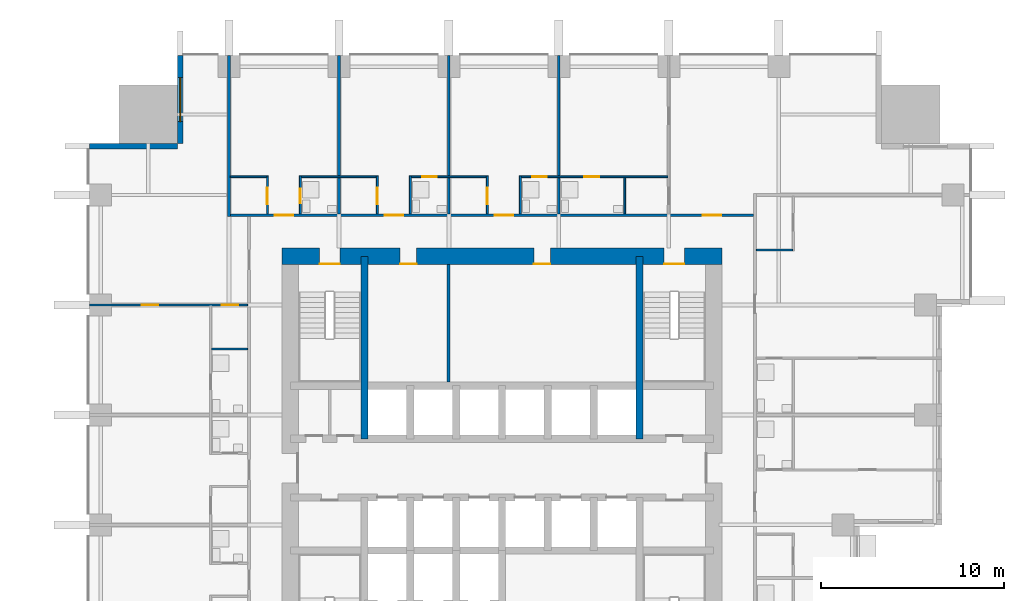
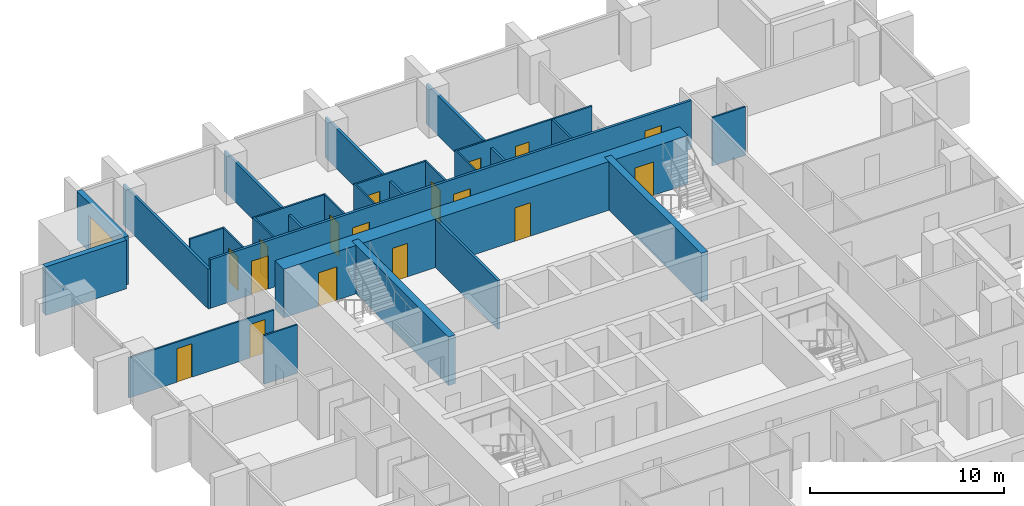
# One storey, part 7 of 10: 25 walls, 17 doors, 1 window, 18 openings.
"""IFC4 building model written with IfcOpenShell, lengths in metres."""

from ifc_helpers import new_model, si_unit, direction, frame, frame_2d, origin, place, context, subcontext, project, spatial, rectangle, extrude, material, layer, layer_set, type_object, element, fill, save


model = new_model("IFC4")

# Units and contexts
model_context = context("Model", 3, precision=1e-05, world=origin(), true_north=direction((0.0, 1.0)))
body_context = subcontext(model_context, "Body", "Model", "MODEL_VIEW")
ifc_project = project(units=[si_unit("LENGTHUNIT", "METRE"), si_unit("AREAUNIT", "SQUARE_METRE"), si_unit("VOLUMEUNIT", "CUBIC_METRE"), si_unit("PLANEANGLEUNIT", "RADIAN"), si_unit("MASSUNIT", "GRAM", prefix="KILO")], contexts=[model_context])

# Site, building, storey
site_placement = place(None, origin())
site = spatial("IfcSite", under=ifc_project, at=site_placement, CompositionType="ELEMENT")
building_placement = place(site_placement, origin())
building = spatial("IfcBuilding", under=site, at=building_placement, Name="Amberfall Residences", CompositionType="ELEMENT")
storey_placement = place(building_placement, frame((0.0, 0.0, 26.800048828125)))
storey = spatial("IfcBuildingStorey", under=building, at=storey_placement, Name="L06", CompositionType="ELEMENT", Elevation=26.800048828125)

# Wall, opening, window
ifc_material_1 = material(Name="Pale stone cladding on insulated backing", Category="masonry")
ifc_layer_1 = layer(ifc_material_1, 0.300048828125)
ifc_layer_set_1 = layer_set([ifc_layer_1], Name="Bronze clad wall 300")
wall_type_1 = type_object("IfcWallType", Name="Bronze clad wall 300", PredefinedType="SOLIDWALL", material=ifc_layer_set_1)
wall_1_placement = place(storey_placement, frame((56.949951171875, 68.0, 0.0), z_axis=(0.0, 0.0, 1.0), x_axis=(0.0, -1.0, 0.0)))
wall_1 = element("IfcWall", 1, at=wall_1_placement, inside=storey, type_object=wall_type_1, Name="External wall L06 NW", PredefinedType="SOLIDWALL", context=body_context, shape_type="SweptSolid", body=[
    extrude(rectangle(XDim=4.800048828125, YDim=0.300048828125, at=frame_2d((2.39990234375, 0.0))), origin(), (0.0, 0.0, 1.0), 3.050048828125),
])
opening_1_placement = place(wall_1_placement, frame((1.199951171875, 0.0, 0.14990234375)))
opening_1 = element("IfcOpeningElement", 2, at=opening_1_placement, cuts=wall_1, Name="Opening WN5", PredefinedType="OPENING", context=body_context, shape_type="SweptSolid", body=[
    extrude(rectangle(XDim=2.39990234375, YDim=2.10009765625, at=frame_2d((1.199951171875, 1.050048828125))), frame((0.0, 0.159912109375, 0.0), z_axis=(0.0, -1.0, 0.0), x_axis=(1.0, 0.0, 0.0)), (0.0, 0.0, 1.0), 0.320068359375),
])
ifc_material_2 = material(Name="Bronze aluminium framed glazing", Category="aluminium")
window_type = type_object("IfcWindowType", Name="Glazed opening 2400 x 2100 bronze", PartitioningType="DOUBLE_PANEL_VERTICAL", PredefinedType="WINDOW", material=ifc_material_2)
window_placement = place(opening_1_placement, origin())
window = element("IfcWindow", 3, at=window_placement, inside=storey, type_object=window_type, Name="Window L06 NW", OverallHeight=2.10009765625, OverallWidth=2.39990234375, PartitioningType="DOUBLE_PANEL_VERTICAL", PredefinedType="WINDOW", context=body_context, shape_type="SweptSolid", body=[
    extrude(rectangle(XDim=2.39990234375, YDim=2.10009765625, at=frame_2d((1.199951171875, 1.050048828125))), frame((0.0, 0.030029296875, 0.0), z_axis=(0.0, -1.0, 0.0), x_axis=(1.0, 0.0, 0.0)), (0.0, 0.0, 1.0), 0.06005859375),
])
fill(opening_1, window)

# Walls
wall_2_placement = place(storey_placement, frame((56.800048828125, 63.050048828125, 0.0), z_axis=(0.0, 0.0, 1.0), x_axis=(-1.0, 0.0, 0.0)))
element("IfcWall", 4, at=wall_2_placement, inside=storey, type_object=wall_type_1, Name="External wall L06 NW", PredefinedType="SOLIDWALL", context=body_context, shape_type="SweptSolid", body=[
    extrude(rectangle(XDim=4.800048828125, YDim=0.300048828125, at=frame_2d((2.39990234375, 0.0))), origin(), (0.0, 0.0, 1.0), 3.050048828125),
])
ifc_material_3 = material(Name="Concrete C80", Category="concrete")
ifc_layer_2 = layer(ifc_material_3, 0.39990234375)
ifc_layer_set_2 = layer_set([ifc_layer_2], Name="Core wall 400 C80")
wall_type_2 = type_object("IfcWallType", Name="Core wall 400 C80", PredefinedType="SHEAR", material=ifc_layer_set_2)
for number, where, z_axis, x_axis, name in (
    (5, (67.0, 47.10009765625, 0.0), (0.0, 0.0, 1.0), (0.0, 1.0, 0.0), "Core wall RW2 L06 V45N"),
    (6, (82.0, 47.10009765625, 0.0), (0.0, 0.0, 1.0), (0.0, 1.0, 0.0), "Core wall RW2 L06 V195N"),
):
    element("IfcWall", number, at=place(storey_placement, frame(where, z_axis=z_axis, x_axis=x_axis)), inside=storey, type_object=wall_type_2, Name=name, PredefinedType="SHEAR", context=body_context, shape_type="SweptSolid", body=[
        extrude(rectangle(XDim=9.949951171875, YDim=0.39990234375, at=frame_2d((4.97509765625, 0.0))), origin(), (0.0, 0.0, 1.0), 3.050048828125),
    ])

# Wall, openings, doors
ifc_layer_3 = layer(ifc_material_3, 0.89990234375)
ifc_layer_set_3 = layer_set([ifc_layer_3], Name="Core wall 900 C80")
wall_type_3 = type_object("IfcWallType", Name="Core wall 900 C80", PredefinedType="SHEAR", material=ifc_layer_set_3)
wall_3_placement = place(storey_placement, frame((62.5, 57.050048828125, 0.0), z_axis=(0.0, 0.0, 1.0), x_axis=(1.0, 0.0, 0.0)))
wall_3 = element("IfcWall", 7, at=wall_3_placement, inside=storey, type_object=wall_type_3, Name="Core wall RW1 L06 ON", PredefinedType="SHEAR", context=body_context, shape_type="SweptSolid", body=[
    extrude(rectangle(XDim=24.0, YDim=0.89990234375, at=frame_2d((12.0, 0.0))), origin(), (0.0, 0.0, 1.0), 3.050048828125),
])
opening_2_placement = place(wall_3_placement, frame((20.85009765625, 0.0, 0.0)))
opening_2 = element("IfcOpeningElement", 8, at=opening_2_placement, cuts=wall_3, Name="Opening SD1", PredefinedType="OPENING", context=body_context, shape_type="SweptSolid", body=[
    extrude(rectangle(XDim=1.10009765625, YDim=2.10009765625, at=frame_2d((0.550048828125, 1.050048828125))), frame((0.0, 0.4599609375, 0.0), z_axis=(0.0, -1.0, 0.0), x_axis=(1.0, 0.0, 0.0)), (0.0, 0.0, 1.0), 0.919921875),
])
opening_3_placement = place(wall_3_placement, frame((2.050048828125, 0.0, 0.0)))
opening_3 = element("IfcOpeningElement", 9, at=opening_3_placement, cuts=wall_3, Name="Opening SD1", PredefinedType="OPENING", context=body_context, shape_type="SweptSolid", body=[
    extrude(rectangle(XDim=1.10009765625, YDim=2.10009765625, at=frame_2d((0.550048828125, 1.050048828125))), frame((0.0, 0.4599609375, 0.0), z_axis=(0.0, -1.0, 0.0), x_axis=(1.0, 0.0, 0.0)), (0.0, 0.0, 1.0), 0.919921875),
])
opening_4_placement = place(wall_3_placement, frame((6.43994140625, 0.0, 0.0)))
opening_4 = element("IfcOpeningElement", 10, at=opening_4_placement, cuts=wall_3, Name="Opening RD1", PredefinedType="OPENING", context=body_context, shape_type="SweptSolid", body=[
    extrude(rectangle(XDim=0.89990234375, YDim=2.10009765625, at=frame_2d((0.449951171875, 1.050048828125))), frame((0.0, 0.4599609375, 0.0), z_axis=(0.0, -1.0, 0.0), x_axis=(1.0, 0.0, 0.0)), (0.0, 0.0, 1.0), 0.919921875),
])
opening_5_placement = place(wall_3_placement, frame((13.739990234375, 0.0, 0.0)))
opening_5 = element("IfcOpeningElement", 11, at=opening_5_placement, cuts=wall_3, Name="Opening RD1", PredefinedType="OPENING", context=body_context, shape_type="SweptSolid", body=[
    extrude(rectangle(XDim=0.89990234375, YDim=2.10009765625, at=frame_2d((0.449951171875, 1.050048828125))), frame((0.0, 0.4599609375, 0.0), z_axis=(0.0, -1.0, 0.0), x_axis=(1.0, 0.0, 0.0)), (0.0, 0.0, 1.0), 0.919921875),
])
ifc_material_4 = material(Name="Steel fire door set", Category="steel")
door_type_1 = type_object("IfcDoorType", Name="Service room door 900 x 2100", OperationType="SINGLE_SWING_LEFT", PredefinedType="DOOR", material=ifc_material_4)
door_1_placement = place(opening_4_placement, origin())
door_1 = element("IfcDoor", 12, at=door_1_placement, inside=storey, type_object=door_type_1, Name="RD1 L06", OperationType="SINGLE_SWING_RIGHT", OverallHeight=2.10009765625, OverallWidth=0.89990234375, PredefinedType="DOOR", context=body_context, shape_type="SweptSolid", body=[
    extrude(rectangle(XDim=0.89990234375, YDim=2.10009765625, at=frame_2d((0.449951171875, 1.050048828125))), frame((0.0, -0.3876953125, 0.0), z_axis=(0.0, -1.0, 0.0), x_axis=(1.0, 0.0, 0.0)), (0.0, 0.0, 1.0), 0.050048828125),
])
fill(opening_4, door_1)
door_2_placement = place(opening_5_placement, origin())
door_2 = element("IfcDoor", 13, at=door_2_placement, inside=storey, type_object=door_type_1, Name="RD1 L06", OperationType="SINGLE_SWING_RIGHT", OverallHeight=2.10009765625, OverallWidth=0.89990234375, PredefinedType="DOOR", context=body_context, shape_type="SweptSolid", body=[
    extrude(rectangle(XDim=0.89990234375, YDim=2.10009765625, at=frame_2d((0.449951171875, 1.050048828125))), frame((0.0, -0.3876953125, 0.0), z_axis=(0.0, -1.0, 0.0), x_axis=(1.0, 0.0, 0.0)), (0.0, 0.0, 1.0), 0.050048828125),
])
fill(opening_5, door_2)
door_type_2 = type_object("IfcDoorType", Name="Stair door 1100 x 2100", OperationType="SINGLE_SWING_LEFT", PredefinedType="DOOR", material=ifc_material_4)
door_3_placement = place(opening_2_placement, origin())
door_3 = element("IfcDoor", 14, at=door_3_placement, inside=storey, type_object=door_type_2, Name="SD1 L06", OperationType="SINGLE_SWING_RIGHT", OverallHeight=2.10009765625, OverallWidth=1.10009765625, PredefinedType="DOOR", context=body_context, shape_type="SweptSolid", body=[
    extrude(rectangle(XDim=1.10009765625, YDim=2.10009765625, at=frame_2d((0.550048828125, 1.050048828125))), frame((0.0, -0.3876953125, 0.0), z_axis=(0.0, -1.0, 0.0), x_axis=(1.0, 0.0, 0.0)), (0.0, 0.0, 1.0), 0.050048828125),
])
fill(opening_2, door_3)
door_4_placement = place(opening_3_placement, origin())
door_4 = element("IfcDoor", 15, at=door_4_placement, inside=storey, type_object=door_type_2, Name="SD1 L06", OperationType="SINGLE_SWING_LEFT", OverallHeight=2.10009765625, OverallWidth=1.10009765625, PredefinedType="DOOR", context=body_context, shape_type="SweptSolid", body=[
    extrude(rectangle(XDim=1.10009765625, YDim=2.10009765625, at=frame_2d((0.550048828125, 1.050048828125))), frame((0.0, -0.3876953125, 0.0), z_axis=(0.0, -1.0, 0.0), x_axis=(1.0, 0.0, 0.0)), (0.0, 0.0, 1.0), 0.050048828125),
])
fill(opening_3, door_4)

# Wall, opening, door
ifc_material_5 = material(Name="Gypsum board on metal stud")
ifc_layer_4 = layer(ifc_material_5, 0.10009765625)
ifc_layer_set_4 = layer_set([ifc_layer_4], Name="Flat partition 100")
wall_type_4 = type_object("IfcWallType", Name="Flat partition 100", PredefinedType="PARTITIONING", material=ifc_layer_set_4)
wall_4_placement = place(storey_placement, frame((61.699951171875, 59.375, 0.0), z_axis=(0.0, 0.0, 1.0), x_axis=(0.0, 1.0, 0.0)))
wall_4 = element("IfcWall", 16, at=wall_4_placement, inside=storey, type_object=wall_type_4, Name="Partition 005", PredefinedType="PARTITIONING", context=body_context, shape_type="SweptSolid", body=[
    extrude(rectangle(XDim=2.074951171875, YDim=0.10009765625, at=frame_2d((1.03759765625, 0.0))), origin(), (0.0, 0.0, 1.0), 3.050048828125),
])
opening_6_placement = place(wall_4_placement, frame((0.52490234375, 0.0, 0.0)))
opening_6 = element("IfcOpeningElement", 17, at=opening_6_placement, cuts=wall_4, Name="Opening D41", PredefinedType="OPENING", context=body_context, shape_type="SweptSolid", body=[
    extrude(rectangle(XDim=0.89990234375, YDim=2.10009765625, at=frame_2d((0.449951171875, 1.050048828125))), frame((0.0, 0.06005859375, 0.0), z_axis=(0.0, -1.0, 0.0), x_axis=(1.0, 0.0, 0.0)), (0.0, 0.0, 1.0), 0.1201171875),
])
ifc_material_6 = material(Name="Timber", Category="wood")
door_type_3 = type_object("IfcDoorType", Name="Internal door 900 x 2100", OperationType="SINGLE_SWING_LEFT", PredefinedType="DOOR", material=ifc_material_6)
door_5_placement = place(opening_6_placement, origin())
door_5 = element("IfcDoor", 18, at=door_5_placement, inside=storey, type_object=door_type_3, Name="Door 0607 kitchen", OperationType="SINGLE_SWING_LEFT", OverallHeight=2.10009765625, OverallWidth=0.89990234375, PredefinedType="DOOR", context=body_context, shape_type="SweptSolid", body=[
    extrude(rectangle(XDim=0.89990234375, YDim=2.10009765625, at=frame_2d((0.449951171875, 1.050048828125))), frame((0.0, 0.02490234375, 0.0), z_axis=(0.0, -1.0, 0.0), x_axis=(1.0, 0.0, 0.0)), (0.0, 0.0, 1.0), 0.050048828125),
])
fill(opening_6, door_5)

wall_5_placement = place(storey_placement, frame((63.5, 61.449951171875, 0.0), z_axis=(0.0, 0.0, 1.0), x_axis=(0.0, -1.0, 0.0)))
wall_5 = element("IfcWall", 19, at=wall_5_placement, inside=storey, type_object=wall_type_4, Name="Partition 006", PredefinedType="PARTITIONING", context=body_context, shape_type="SweptSolid", body=[
    extrude(rectangle(XDim=2.074951171875, YDim=0.10009765625, at=frame_2d((1.03759765625, 0.0))), origin(), (0.0, 0.0, 1.0), 3.050048828125),
])
opening_7_placement = place(wall_5_placement, frame((0.699951171875, 0.0, 0.0)))
opening_7 = element("IfcOpeningElement", 20, at=opening_7_placement, cuts=wall_5, Name="Opening D42", PredefinedType="OPENING", context=body_context, shape_type="SweptSolid", body=[
    extrude(rectangle(XDim=0.800048828125, YDim=2.10009765625, at=frame_2d((0.39990234375, 1.050048828125))), frame((0.0, 0.06005859375, 0.0), z_axis=(0.0, -1.0, 0.0), x_axis=(1.0, 0.0, 0.0)), (0.0, 0.0, 1.0), 0.1201171875),
])
door_type_4 = type_object("IfcDoorType", Name="Bathroom door 800 x 2100", OperationType="SINGLE_SWING_LEFT", PredefinedType="DOOR", material=ifc_material_6)
door_6_placement = place(opening_7_placement, origin())
door_6 = element("IfcDoor", 21, at=door_6_placement, inside=storey, type_object=door_type_4, Name="Door 0607 bath1", OperationType="SINGLE_SWING_LEFT", OverallHeight=2.10009765625, OverallWidth=0.800048828125, PredefinedType="DOOR", context=body_context, shape_type="SweptSolid", body=[
    extrude(rectangle(XDim=0.800048828125, YDim=2.10009765625, at=frame_2d((0.39990234375, 1.050048828125))), frame((0.0, 0.02490234375, 0.0), z_axis=(0.0, -1.0, 0.0), x_axis=(1.0, 0.0, 0.0)), (0.0, 0.0, 1.0), 0.050048828125),
])
fill(opening_7, door_6)

wall_6_placement = place(storey_placement, frame((67.699951171875, 59.375, 0.0), z_axis=(0.0, 0.0, 1.0), x_axis=(0.0, 1.0, 0.0)))
wall_6 = element("IfcWall", 22, at=wall_6_placement, inside=storey, type_object=wall_type_4, Name="Partition 007", PredefinedType="PARTITIONING", context=body_context, shape_type="SweptSolid", body=[
    extrude(rectangle(XDim=2.074951171875, YDim=0.10009765625, at=frame_2d((1.03759765625, 0.0))), origin(), (0.0, 0.0, 1.0), 3.050048828125),
])
opening_8_placement = place(wall_6_placement, frame((0.52490234375, 0.0, 0.0)))
opening_8 = element("IfcOpeningElement", 23, at=opening_8_placement, cuts=wall_6, Name="Opening D41", PredefinedType="OPENING", context=body_context, shape_type="SweptSolid", body=[
    extrude(rectangle(XDim=0.89990234375, YDim=2.10009765625, at=frame_2d((0.449951171875, 1.050048828125))), frame((0.0, 0.06005859375, 0.0), z_axis=(0.0, -1.0, 0.0), x_axis=(1.0, 0.0, 0.0)), (0.0, 0.0, 1.0), 0.1201171875),
])
door_7_placement = place(opening_8_placement, origin())
door_7 = element("IfcDoor", 24, at=door_7_placement, inside=storey, type_object=door_type_3, Name="Door 0608 kitchen", OperationType="SINGLE_SWING_LEFT", OverallHeight=2.10009765625, OverallWidth=0.89990234375, PredefinedType="DOOR", context=body_context, shape_type="SweptSolid", body=[
    extrude(rectangle(XDim=0.89990234375, YDim=2.10009765625, at=frame_2d((0.449951171875, 1.050048828125))), frame((0.0, 0.02490234375, 0.0), z_axis=(0.0, -1.0, 0.0), x_axis=(1.0, 0.0, 0.0)), (0.0, 0.0, 1.0), 0.050048828125),
])
fill(opening_8, door_7)

# Wall
wall_7_placement = place(storey_placement, frame((69.5, 59.375, 0.0), z_axis=(0.0, 0.0, 1.0), x_axis=(0.0, 1.0, 0.0)))
element("IfcWall", 25, at=wall_7_placement, inside=storey, type_object=wall_type_4, Name="Partition 009", PredefinedType="PARTITIONING", context=body_context, shape_type="SweptSolid", body=[
    extrude(rectangle(XDim=2.074951171875, YDim=0.10009765625, at=frame_2d((1.03759765625, 0.0))), origin(), (0.0, 0.0, 1.0), 3.050048828125),
])

# Wall, opening, door
wall_8_placement = place(storey_placement, frame((73.699951171875, 59.375, 0.0), z_axis=(0.0, 0.0, 1.0), x_axis=(0.0, 1.0, 0.0)))
wall_8 = element("IfcWall", 26, at=wall_8_placement, inside=storey, type_object=wall_type_4, Name="Partition 011", PredefinedType="PARTITIONING", context=body_context, shape_type="SweptSolid", body=[
    extrude(rectangle(XDim=2.074951171875, YDim=0.10009765625, at=frame_2d((1.03759765625, 0.0))), origin(), (0.0, 0.0, 1.0), 3.050048828125),
])
opening_9_placement = place(wall_8_placement, frame((0.52490234375, 0.0, 0.0)))
opening_9 = element("IfcOpeningElement", 27, at=opening_9_placement, cuts=wall_8, Name="Opening D41", PredefinedType="OPENING", context=body_context, shape_type="SweptSolid", body=[
    extrude(rectangle(XDim=0.89990234375, YDim=2.10009765625, at=frame_2d((0.449951171875, 1.050048828125))), frame((0.0, 0.06005859375, 0.0), z_axis=(0.0, -1.0, 0.0), x_axis=(1.0, 0.0, 0.0)), (0.0, 0.0, 1.0), 0.1201171875),
])
door_8_placement = place(opening_9_placement, origin())
door_8 = element("IfcDoor", 28, at=door_8_placement, inside=storey, type_object=door_type_3, Name="Door 0609 kitchen", OperationType="SINGLE_SWING_LEFT", OverallHeight=2.10009765625, OverallWidth=0.89990234375, PredefinedType="DOOR", context=body_context, shape_type="SweptSolid", body=[
    extrude(rectangle(XDim=0.89990234375, YDim=2.10009765625, at=frame_2d((0.449951171875, 1.050048828125))), frame((0.0, 0.02490234375, 0.0), z_axis=(0.0, -1.0, 0.0), x_axis=(1.0, 0.0, 0.0)), (0.0, 0.0, 1.0), 0.050048828125),
])
fill(opening_9, door_8)

# Walls
wall_9_placement = place(storey_placement, frame((75.5, 59.375, 0.0), z_axis=(0.0, 0.0, 1.0), x_axis=(0.0, 1.0, 0.0)))
element("IfcWall", 29, at=wall_9_placement, inside=storey, type_object=wall_type_4, Name="Partition 012", PredefinedType="PARTITIONING", context=body_context, shape_type="SweptSolid", body=[
    extrude(rectangle(XDim=2.074951171875, YDim=0.10009765625, at=frame_2d((1.03759765625, 0.0))), origin(), (0.0, 0.0, 1.0), 3.050048828125),
])
wall_10_placement = place(storey_placement, frame((81.199951171875, 59.375, 0.0), z_axis=(0.0, 0.0, 1.0), x_axis=(0.0, 1.0, 0.0)))
element("IfcWall", 30, at=wall_10_placement, inside=storey, type_object=wall_type_4, Name="Partition 015", PredefinedType="PARTITIONING", context=body_context, shape_type="SweptSolid", body=[
    extrude(rectangle(XDim=1.97509765625, YDim=0.10009765625, at=frame_2d((0.987548828125, 0.0))), origin(), (0.0, 0.0, 1.0), 3.050048828125),
])
wall_11_placement = place(storey_placement, frame((59.675048828125, 61.39990234375, 0.0), z_axis=(0.0, 0.0, 1.0), x_axis=(1.0, 0.0, 0.0)))
element("IfcWall", 31, at=wall_11_placement, inside=storey, type_object=wall_type_4, Name="Partition 023", PredefinedType="PARTITIONING", context=body_context, shape_type="SweptSolid", body=[
    extrude(rectangle(XDim=1.974853515625, YDim=0.10009765625, at=frame_2d((0.9873046875, 0.0))), origin(), (0.0, 0.0, 1.0), 3.050048828125),
])
wall_12_placement = place(storey_placement, frame((63.550048828125, 61.39990234375, 0.0), z_axis=(0.0, 0.0, 1.0), x_axis=(1.0, 0.0, 0.0)))
element("IfcWall", 32, at=wall_12_placement, inside=storey, type_object=wall_type_4, Name="Partition 024", PredefinedType="PARTITIONING", context=body_context, shape_type="SweptSolid", body=[
    extrude(rectangle(XDim=4.099853515625, YDim=0.10009765625, at=frame_2d((2.0498046875, 0.0))), origin(), (0.0, 0.0, 1.0), 3.050048828125),
])

# Wall, opening, door
wall_13_placement = place(storey_placement, frame((73.64990234375, 61.39990234375, 0.0), z_axis=(0.0, 0.0, 1.0), x_axis=(-1.0, 0.0, 0.0)))
wall_13 = element("IfcWall", 33, at=wall_13_placement, inside=storey, type_object=wall_type_4, Name="Partition 025", PredefinedType="PARTITIONING", context=body_context, shape_type="SweptSolid", body=[
    extrude(rectangle(XDim=4.099853515625, YDim=0.10009765625, at=frame_2d((2.0498046875, 0.0))), origin(), (0.0, 0.0, 1.0), 3.050048828125),
])
opening_10_placement = place(wall_13_placement, frame((2.699951171875, 0.0, 0.0)))
opening_10 = element("IfcOpeningElement", 34, at=opening_10_placement, cuts=wall_13, Name="Opening D42", PredefinedType="OPENING", context=body_context, shape_type="SweptSolid", body=[
    extrude(rectangle(XDim=0.800048828125, YDim=2.10009765625, at=frame_2d((0.39990234375, 1.050048828125))), frame((0.0, 0.06005859375, 0.0), z_axis=(0.0, -1.0, 0.0), x_axis=(1.0, 0.0, 0.0)), (0.0, 0.0, 1.0), 0.1201171875),
])
door_9_placement = place(opening_10_placement, origin())
door_9 = element("IfcDoor", 35, at=door_9_placement, inside=storey, type_object=door_type_4, Name="Door 0608 bath1", OperationType="SINGLE_SWING_LEFT", OverallHeight=2.10009765625, OverallWidth=0.800048828125, PredefinedType="DOOR", context=body_context, shape_type="SweptSolid", body=[
    extrude(rectangle(XDim=0.800048828125, YDim=2.10009765625, at=frame_2d((0.39990234375, 1.050048828125))), frame((0.0, 0.02490234375, 0.0), z_axis=(0.0, -1.0, 0.0), x_axis=(1.0, 0.0, 0.0)), (0.0, 0.0, 1.0), 0.050048828125),
])
fill(opening_10, door_9)

# Wall, openings, doors
wall_14_placement = place(storey_placement, frame((83.550048828125, 61.39990234375, 0.0), z_axis=(0.0, 0.0, 1.0), x_axis=(-1.0, 0.0, 0.0)))
wall_14 = element("IfcWall", 36, at=wall_14_placement, inside=storey, type_object=wall_type_4, Name="Partition 026", PredefinedType="PARTITIONING", context=body_context, shape_type="SweptSolid", body=[
    extrude(rectangle(XDim=8.0, YDim=0.10009765625, at=frame_2d((4.0, 0.0))), origin(), (0.0, 0.0, 1.0), 3.050048828125),
])
opening_11_placement = place(wall_14_placement, frame((6.60009765625, 0.0, 0.0)))
opening_11 = element("IfcOpeningElement", 37, at=opening_11_placement, cuts=wall_14, Name="Opening D42", PredefinedType="OPENING", context=body_context, shape_type="SweptSolid", body=[
    extrude(rectangle(XDim=0.800048828125, YDim=2.10009765625, at=frame_2d((0.39990234375, 1.050048828125))), frame((0.0, 0.06005859375, 0.0), z_axis=(0.0, -1.0, 0.0), x_axis=(1.0, 0.0, 0.0)), (0.0, 0.0, 1.0), 0.1201171875),
])
opening_12_placement = place(wall_14_placement, frame((3.75, 0.0, 0.0)))
opening_12 = element("IfcOpeningElement", 38, at=opening_12_placement, cuts=wall_14, Name="Opening D42", PredefinedType="OPENING", context=body_context, shape_type="SweptSolid", body=[
    extrude(rectangle(XDim=0.800048828125, YDim=2.10009765625, at=frame_2d((0.39990234375, 1.050048828125))), frame((0.0, 0.06005859375, 0.0), z_axis=(0.0, -1.0, 0.0), x_axis=(1.0, 0.0, 0.0)), (0.0, 0.0, 1.0), 0.1201171875),
])
door_10_placement = place(opening_11_placement, origin())
door_10 = element("IfcDoor", 39, at=door_10_placement, inside=storey, type_object=door_type_4, Name="Door 0609 bath1", OperationType="SINGLE_SWING_LEFT", OverallHeight=2.10009765625, OverallWidth=0.800048828125, PredefinedType="DOOR", context=body_context, shape_type="SweptSolid", body=[
    extrude(rectangle(XDim=0.800048828125, YDim=2.10009765625, at=frame_2d((0.39990234375, 1.050048828125))), frame((0.0, 0.02490234375, 0.0), z_axis=(0.0, -1.0, 0.0), x_axis=(1.0, 0.0, 0.0)), (0.0, 0.0, 1.0), 0.050048828125),
])
fill(opening_11, door_10)
door_11_placement = place(opening_12_placement, origin())
door_11 = element("IfcDoor", 40, at=door_11_placement, inside=storey, type_object=door_type_4, Name="Door 0610 bath1", OperationType="SINGLE_SWING_LEFT", OverallHeight=2.10009765625, OverallWidth=0.800048828125, PredefinedType="DOOR", context=body_context, shape_type="SweptSolid", body=[
    extrude(rectangle(XDim=0.800048828125, YDim=2.10009765625, at=frame_2d((0.39990234375, 1.050048828125))), frame((0.0, 0.02490234375, 0.0), z_axis=(0.0, -1.0, 0.0), x_axis=(1.0, 0.0, 0.0)), (0.0, 0.0, 1.0), 0.050048828125),
])
fill(opening_12, door_11)

# Wall
wall_15_placement = place(storey_placement, frame((88.375, 57.39990234375, 0.0), z_axis=(0.0, 0.0, 1.0), x_axis=(1.0, 0.0, 0.0)))
element("IfcWall", 41, at=wall_15_placement, inside=storey, type_object=wall_type_4, Name="Partition 027", PredefinedType="PARTITIONING", context=body_context, shape_type="SweptSolid", body=[
    extrude(rectangle(XDim=1.97509765625, YDim=0.10009765625, at=frame_2d((0.987548828125, 0.0))), origin(), (0.0, 0.0, 1.0), 3.050048828125),
])

# Wall, openings, doors
wall_16_placement = place(storey_placement, frame((60.625, 54.39990234375, 0.0), z_axis=(0.0, 0.0, 1.0), x_axis=(-1.0, 0.0, 0.0)))
wall_16 = element("IfcWall", 42, at=wall_16_placement, inside=storey, type_object=wall_type_4, Name="Partition 028", PredefinedType="PARTITIONING", context=body_context, shape_type="SweptSolid", body=[
    extrude(rectangle(XDim=8.625, YDim=0.10009765625, at=frame_2d((4.3125, 0.0))), origin(), (0.0, 0.0, 1.0), 2.515869140625),
])
opening_13_placement = place(wall_16_placement, frame((0.52490234375, 0.0, 0.0)))
opening_13 = element("IfcOpeningElement", 43, at=opening_13_placement, cuts=wall_16, Name="Opening D41", PredefinedType="OPENING", context=body_context, shape_type="SweptSolid", body=[
    extrude(rectangle(XDim=0.89990234375, YDim=2.10009765625, at=frame_2d((0.449951171875, 1.050048828125))), frame((0.0, 0.06005859375, 0.0), z_axis=(0.0, -1.0, 0.0), x_axis=(1.0, 0.0, 0.0)), (0.0, 0.0, 1.0), 0.1201171875),
])
opening_14_placement = place(wall_16_placement, frame((4.875, 0.0, 0.0)))
opening_14 = element("IfcOpeningElement", 44, at=opening_14_placement, cuts=wall_16, Name="Opening D41", PredefinedType="OPENING", context=body_context, shape_type="SweptSolid", body=[
    extrude(rectangle(XDim=0.89990234375, YDim=2.10009765625, at=frame_2d((0.449951171875, 1.050048828125))), frame((0.0, 0.06005859375, 0.0), z_axis=(0.0, -1.0, 0.0), x_axis=(1.0, 0.0, 0.0)), (0.0, 0.0, 1.0), 0.1201171875),
])
door_12_placement = place(opening_13_placement, origin())
door_12 = element("IfcDoor", 45, at=door_12_placement, inside=storey, type_object=door_type_3, Name="Door 0614 kitchen", OperationType="SINGLE_SWING_LEFT", OverallHeight=2.10009765625, OverallWidth=0.89990234375, PredefinedType="DOOR", context=body_context, shape_type="SweptSolid", body=[
    extrude(rectangle(XDim=0.89990234375, YDim=2.10009765625, at=frame_2d((0.449951171875, 1.050048828125))), frame((0.0, 0.02490234375, 0.0), z_axis=(0.0, -1.0, 0.0), x_axis=(1.0, 0.0, 0.0)), (0.0, 0.0, 1.0), 0.050048828125),
])
fill(opening_13, door_12)
door_13_placement = place(opening_14_placement, origin())
door_13 = element("IfcDoor", 46, at=door_13_placement, inside=storey, type_object=door_type_3, Name="Door 0614 bedroom1", OperationType="SINGLE_SWING_LEFT", OverallHeight=2.10009765625, OverallWidth=0.89990234375, PredefinedType="DOOR", context=body_context, shape_type="SweptSolid", body=[
    extrude(rectangle(XDim=0.89990234375, YDim=2.10009765625, at=frame_2d((0.449951171875, 1.050048828125))), frame((0.0, 0.02490234375, 0.0), z_axis=(0.0, -1.0, 0.0), x_axis=(1.0, 0.0, 0.0)), (0.0, 0.0, 1.0), 0.050048828125),
])
fill(opening_14, door_13)

# Walls
wall_17_placement = place(storey_placement, frame((58.64990234375, 52.0, 0.0), z_axis=(0.0, 0.0, 1.0), x_axis=(1.0, 0.0, 0.0)))
element("IfcWall", 47, at=wall_17_placement, inside=storey, type_object=wall_type_4, Name="Partition 029", PredefinedType="PARTITIONING", context=body_context, shape_type="SweptSolid", body=[
    extrude(rectangle(XDim=1.97509765625, YDim=0.10009765625, at=frame_2d((0.987548828125, 0.0))), origin(), (0.0, 0.0, 1.0), 3.050048828125),
])
ifc_material_7 = material(Name="Blockwork, plastered", Category="masonry")
ifc_layer_5 = layer(ifc_material_7, 0.14990234375)
ifc_layer_set_5 = layer_set([ifc_layer_5], Name="Flat separating wall 150")
wall_type_5 = type_object("IfcWallType", Name="Flat separating wall 150", PredefinedType="PARTITIONING", material=ifc_layer_set_5)
wall_18_placement = place(storey_placement, frame((59.60009765625, 59.22509765625, 0.0), z_axis=(0.0, 0.0, 1.0), x_axis=(0.0, 1.0, 0.0)))
element("IfcWall", 48, at=wall_18_placement, inside=storey, type_object=wall_type_5, Name="Separating wall 044", PredefinedType="PARTITIONING", context=body_context, shape_type="SweptSolid", body=[
    extrude(rectangle(XDim=8.77490234375, YDim=0.14990234375, at=frame_2d((4.387451171875, 0.0))), origin(), (0.0, 0.0, 1.0), 2.510009765625),
])
for number, where, z_axis, x_axis, name in (
    (49, (65.60009765625, 59.375, 0.0), (0.0, 0.0, 1.0), (0.0, 1.0, 0.0), "Separating wall 046"),
    (50, (71.60009765625, 59.375, 0.0), (0.0, 0.0, 1.0), (0.0, 1.0, 0.0), "Separating wall 047"),
    (51, (77.60009765625, 59.375, 0.0), (0.0, 0.0, 1.0), (0.0, 1.0, 0.0), "Separating wall 049"),
):
    element("IfcWall", number, at=place(storey_placement, frame(where, z_axis=z_axis, x_axis=x_axis)), inside=storey, type_object=wall_type_5, Name=name, PredefinedType="PARTITIONING", context=body_context, shape_type="SweptSolid", body=[
        extrude(rectangle(XDim=8.625, YDim=0.14990234375, at=frame_2d((4.3125, 0.0))), origin(), (0.0, 0.0, 1.0), 2.515869140625),
    ])

# Wall, openings, doors
wall_19_placement = place(storey_placement, frame((59.675048828125, 59.300048828125, 0.0), z_axis=(0.0, 0.0, 1.0), x_axis=(1.0, 0.0, 0.0)))
wall_19 = element("IfcWall", 52, at=wall_19_placement, inside=storey, type_object=wall_type_5, Name="Separating wall 054", PredefinedType="PARTITIONING", context=body_context, shape_type="SweptSolid", body=[
    extrude(rectangle(XDim=28.550048828125, YDim=0.14990234375, at=frame_2d((14.27490234375, 0.0))), origin(), (0.0, 0.0, 1.0), 3.050048828125),
])
opening_15_placement = place(wall_19_placement, frame((2.425048828125, 0.0, 0.0)))
opening_15 = element("IfcOpeningElement", 53, at=opening_15_placement, cuts=wall_19, Name="Opening D40", PredefinedType="OPENING", context=body_context, shape_type="SweptSolid", body=[
    extrude(rectangle(XDim=1.0, YDim=2.10009765625, at=frame_2d((0.5, 1.050048828125))), frame((0.0, 0.0849609375, 0.0), z_axis=(0.0, -1.0, 0.0), x_axis=(1.0, 0.0, 0.0)), (0.0, 0.0, 1.0), 0.169921875),
])
opening_16_placement = place(wall_19_placement, frame((8.425048828125, 0.0, 0.0)))
opening_16 = element("IfcOpeningElement", 54, at=opening_16_placement, cuts=wall_19, Name="Opening D40", PredefinedType="OPENING", context=body_context, shape_type="SweptSolid", body=[
    extrude(rectangle(XDim=1.0, YDim=2.10009765625, at=frame_2d((0.5, 1.050048828125))), frame((0.0, 0.0849609375, 0.0), z_axis=(0.0, -1.0, 0.0), x_axis=(1.0, 0.0, 0.0)), (0.0, 0.0, 1.0), 0.169921875),
])
opening_17_placement = place(wall_19_placement, frame((14.425048828125, 0.0, 0.0)))
opening_17 = element("IfcOpeningElement", 55, at=opening_17_placement, cuts=wall_19, Name="Opening D40", PredefinedType="OPENING", context=body_context, shape_type="SweptSolid", body=[
    extrude(rectangle(XDim=1.0, YDim=2.10009765625, at=frame_2d((0.5, 1.050048828125))), frame((0.0, 0.0849609375, 0.0), z_axis=(0.0, -1.0, 0.0), x_axis=(1.0, 0.0, 0.0)), (0.0, 0.0, 1.0), 0.169921875),
])
opening_18_placement = place(wall_19_placement, frame((25.77490234375, 0.0, 0.0)))
opening_18 = element("IfcOpeningElement", 56, at=opening_18_placement, cuts=wall_19, Name="Opening D40", PredefinedType="OPENING", context=body_context, shape_type="SweptSolid", body=[
    extrude(rectangle(XDim=1.0, YDim=2.10009765625, at=frame_2d((0.5, 1.050048828125))), frame((0.0, 0.0849609375, 0.0), z_axis=(0.0, -1.0, 0.0), x_axis=(1.0, 0.0, 0.0)), (0.0, 0.0, 1.0), 0.169921875),
])
ifc_material_8 = material(Name="Timber, fire-rated", Category="wood")
door_type_5 = type_object("IfcDoorType", Name="Flat entrance door FD60 1000 x 2100", OperationType="SINGLE_SWING_LEFT", PredefinedType="DOOR", material=ifc_material_8)
door_14_placement = place(opening_15_placement, origin())
door_14 = element("IfcDoor", 57, at=door_14_placement, inside=storey, type_object=door_type_5, Name="Door 0607 entrance", OperationType="SINGLE_SWING_LEFT", OverallHeight=2.10009765625, OverallWidth=1.0, PredefinedType="DOOR", context=body_context, shape_type="SweptSolid", body=[
    extrude(rectangle(XDim=1.0, YDim=2.10009765625, at=frame_2d((0.5, 1.050048828125))), frame((0.0, 0.02490234375, 0.0), z_axis=(0.0, -1.0, 0.0), x_axis=(1.0, 0.0, 0.0)), (0.0, 0.0, 1.0), 0.050048828125),
])
fill(opening_15, door_14)
door_15_placement = place(opening_16_placement, origin())
door_15 = element("IfcDoor", 58, at=door_15_placement, inside=storey, type_object=door_type_5, Name="Door 0608 entrance", OperationType="SINGLE_SWING_LEFT", OverallHeight=2.10009765625, OverallWidth=1.0, PredefinedType="DOOR", context=body_context, shape_type="SweptSolid", body=[
    extrude(rectangle(XDim=1.0, YDim=2.10009765625, at=frame_2d((0.5, 1.050048828125))), frame((0.0, 0.02490234375, 0.0), z_axis=(0.0, -1.0, 0.0), x_axis=(1.0, 0.0, 0.0)), (0.0, 0.0, 1.0), 0.050048828125),
])
fill(opening_16, door_15)
door_16_placement = place(opening_17_placement, origin())
door_16 = element("IfcDoor", 59, at=door_16_placement, inside=storey, type_object=door_type_5, Name="Door 0609 entrance", OperationType="SINGLE_SWING_LEFT", OverallHeight=2.10009765625, OverallWidth=1.0, PredefinedType="DOOR", context=body_context, shape_type="SweptSolid", body=[
    extrude(rectangle(XDim=1.0, YDim=2.10009765625, at=frame_2d((0.5, 1.050048828125))), frame((0.0, 0.02490234375, 0.0), z_axis=(0.0, -1.0, 0.0), x_axis=(1.0, 0.0, 0.0)), (0.0, 0.0, 1.0), 0.050048828125),
])
fill(opening_17, door_16)
door_17_placement = place(opening_18_placement, origin())
door_17 = element("IfcDoor", 60, at=door_17_placement, inside=storey, type_object=door_type_5, Name="Door 0610 entrance", OperationType="SINGLE_SWING_LEFT", OverallHeight=2.10009765625, OverallWidth=1.0, PredefinedType="DOOR", context=body_context, shape_type="SweptSolid", body=[
    extrude(rectangle(XDim=1.0, YDim=2.10009765625, at=frame_2d((0.5, 1.050048828125))), frame((0.0, 0.02490234375, 0.0), z_axis=(0.0, -1.0, 0.0), x_axis=(1.0, 0.0, 0.0)), (0.0, 0.0, 1.0), 0.050048828125),
])
fill(opening_18, door_17)

# Wall
ifc_material_9 = material(Name="Concrete blockwork", Category="masonry")
ifc_layer_6 = layer(ifc_material_9, 0.14990234375)
ifc_layer_set_6 = layer_set([ifc_layer_6], Name="Riser wall 150")
wall_type_6 = type_object("IfcWallType", Name="Riser wall 150", PredefinedType="PLUMBINGWALL", material=ifc_layer_set_6)
wall_20_placement = place(storey_placement, frame((71.580078125, 50.199951171875, 0.0), z_axis=(0.0, 0.0, 1.0), x_axis=(0.0, 1.0, 0.0)))
element("IfcWall", 61, at=wall_20_placement, inside=storey, type_object=wall_type_6, Name="L06 core wall N0", PredefinedType="PLUMBINGWALL", context=body_context, shape_type="SweptSolid", body=[
    extrude(rectangle(XDim=6.400146484375, YDim=0.14990234375, at=frame_2d((3.2001953125, 0.0))), origin(), (0.0, 0.0, 1.0), 3.050048828125),
])

save(model, "model.ifc")
